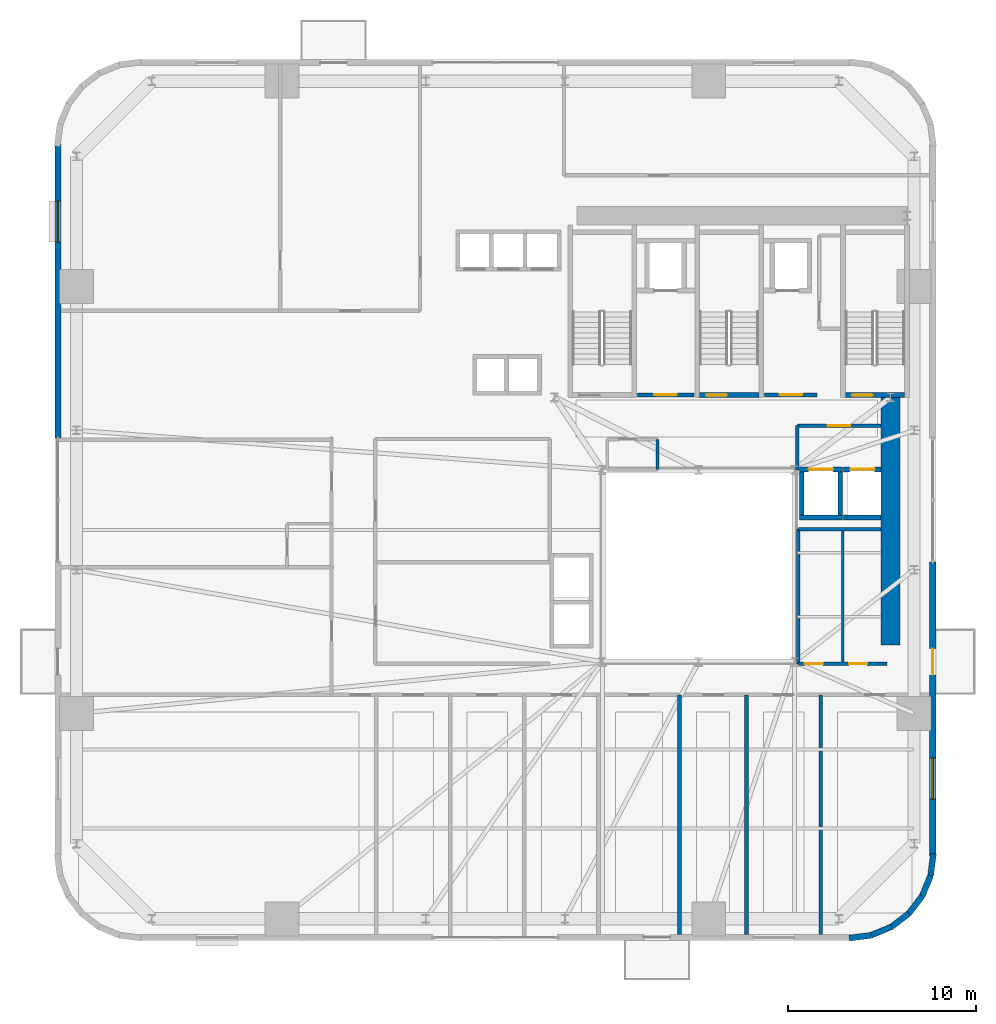
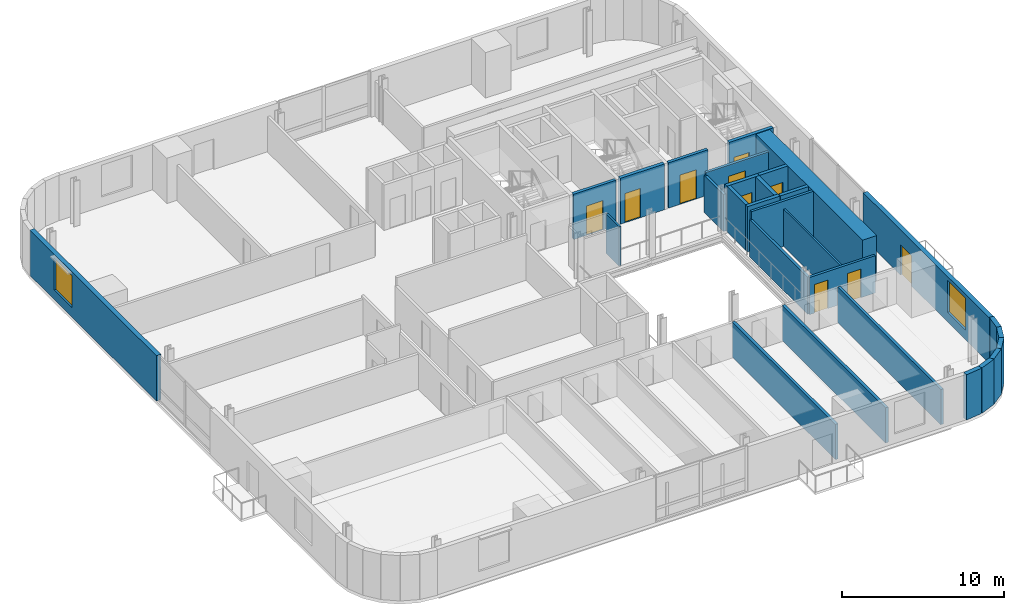
# One storey, part 7 of 13: 29 walls, 10 doors, 2 windows, 12 openings.
"""IFC4 building model written with IfcOpenShell, lengths in metres."""

from ifc_helpers import new_model, si_unit, direction, frame, frame_2d, origin, place, context, subcontext, project, spatial, rectangle, extrude, source, transform, mapped, material, layer, layer_set, type_object, element, fill, save


model = new_model("IFC4")

# Units and contexts
model_context = context("Model", 3, precision=1e-05, world=origin(), true_north=direction((0.0, 1.0)))
body_context = subcontext(model_context, "Body", "Model", "MODEL_VIEW")
ifc_project = project(units=[si_unit("LENGTHUNIT", "METRE"), si_unit("AREAUNIT", "SQUARE_METRE"), si_unit("VOLUMEUNIT", "CUBIC_METRE"), si_unit("PLANEANGLEUNIT", "RADIAN"), si_unit("MASSUNIT", "GRAM", prefix="KILO")], contexts=[model_context])

# Site, building, storey
site_placement = place(None, origin())
site = spatial("IfcSite", under=ifc_project, at=site_placement, CompositionType="ELEMENT")
building_placement = place(site_placement, origin())
building = spatial("IfcBuilding", under=site, at=building_placement, Name="Vardaveli Station Tower", CompositionType="ELEMENT")
storey_placement = place(building_placement, frame((0.0, 0.0, 53.14990234375)))
storey = spatial("IfcBuildingStorey", under=building, at=storey_placement, Name="L13", CompositionType="ELEMENT", Elevation=53.14990234375)

# Wall
ifc_material_1 = material(Name="Concrete C60/75", Category="concrete")
ifc_layer_1 = layer(ifc_material_1, 1.0, Name="Concrete C60/75")
ifc_layer_set_1 = layer_set([ifc_layer_1], Name="Concrete C60/75")
wall_type_1 = type_object("IfcWallType", Name="WAL-CORE-1000", PredefinedType="SHEAR", material=ifc_layer_set_1)
shared_shape_1 = source(origin(), body_context, "Body", "SweptSolid", [
    extrude(rectangle(XDim=13.14990234375, YDim=1.0, at=frame_2d((6.574951171875, 0.0))), origin(), (0.0, 0.0, 1.0), 3.41015625),
])
wall_1_placement = place(storey_placement, frame((46.5, 17.5, 0.0), z_axis=(0.0, 0.0, 1.0), x_axis=(0.0, 1.0, 0.0)))
element("IfcWall", 1, at=wall_1_placement, inside=storey, type_object=wall_type_1, Name="SW-L13-EAST2", PredefinedType="SHEAR", context=body_context, shape_type="MappedRepresentation", body=[
    mapped(shared_shape_1, transform((0.0, 0.0, 0.0), scale=1.0)),
])

# Wall, openings, door, window
ifc_material_2 = material(Name="Precast concrete C45/55", Category="concrete")
ifc_layer_2 = layer(ifc_material_2, 0.320068359375, Name="Precast concrete C45/55")
ifc_layer_set_2 = layer_set([ifc_layer_2], Name="Precast concrete C45/55")
wall_type_2 = type_object("IfcWallType", Name="WAL-EXT-STONE-320", PredefinedType="SOLIDWALL", material=ifc_layer_set_2)
shared_shape_2 = source(origin(), body_context, "Body", "SweptSolid", [
    extrude(rectangle(XDim=15.599853515625, YDim=0.320068359375, at=frame_2d((7.7998046875, 0.0))), origin(), (0.0, 0.0, 1.0), 3.41015625),
])
wall_2_placement = place(storey_placement, frame((48.739990234375, 6.300048828125, 0.0), z_axis=(0.0, 0.0, 1.0), x_axis=(0.0, 1.0, 0.0)))
wall_2 = element("IfcWall", 2, at=wall_2_placement, inside=storey, type_object=wall_type_2, Name="EW-L13-E1", PredefinedType="SOLIDWALL", context=body_context, shape_type="MappedRepresentation", body=[
    mapped(shared_shape_2, transform((0.0, 0.0, 0.0), scale=1.0)),
])
shared_shape_3 = source(origin(), body_context, "Body", "SweptSolid", [
    extrude(rectangle(XDim=1.39990234375, YDim=2.300048828125, at=frame_2d((0.699951171875, 1.14990234375))), frame((0.0, 0.169921875, 0.0), z_axis=(0.0, -1.0, 0.0), x_axis=(1.0, 0.0, 0.0)), (0.0, 0.0, 1.0), 0.340087890625),
])
opening_1_placement = place(wall_2_placement, frame((9.6103515625, 0.0, 0.0)))
opening_1 = element("IfcOpeningElement", 3, at=opening_1_placement, cuts=wall_2, Name="Opening D-09", PredefinedType="OPENING", context=body_context, shape_type="MappedRepresentation", body=[
    mapped(shared_shape_3, transform((0.0, 0.0, 0.0), scale=1.0)),
])
shared_shape_4 = source(origin(), body_context, "Body", "SweptSolid", [
    extrude(rectangle(XDim=2.199951171875, YDim=2.39990234375, at=frame_2d((1.10009765625, 1.199951171875))), frame((0.0, 0.169921875, 0.0), z_axis=(0.0, -1.0, 0.0), x_axis=(1.0, 0.0, 0.0)), (0.0, 0.0, 1.0), 0.340087890625),
])
opening_2_placement = place(wall_2_placement, frame((3.0048828125, 0.0, 0.719970703125)))
opening_2 = element("IfcOpeningElement", 4, at=opening_2_placement, cuts=wall_2, Name="Opening W-03", PredefinedType="OPENING", context=body_context, shape_type="MappedRepresentation", body=[
    mapped(shared_shape_4, transform((0.0, 0.0, 0.0), scale=1.0)),
])
ifc_material_3 = material(Name="Thermally broken aluminium glass", Category="aluminium")
door_type_1 = type_object("IfcDoorType", Name="DR-LOG-1400x2300", OperationType="DOUBLE_DOOR_SLIDING", PredefinedType="DOOR", material=ifc_material_3)
shared_shape_5 = source(origin(), body_context, "Body", "SweptSolid", [
    extrude(rectangle(XDim=1.39990234375, YDim=2.300048828125, at=frame_2d((0.699951171875, 1.14990234375))), frame((0.0, 0.02490234375, 0.0), z_axis=(0.0, -1.0, 0.0), x_axis=(1.0, 0.0, 0.0)), (0.0, 0.0, 1.0), 0.050048828125),
])
door_1_placement = place(opening_1_placement, frame((1.39990234375, 0.0, 0.0), z_axis=(0.0, 0.0, 1.0), x_axis=(-1.0, 0.0, 0.0)))
door_1 = element("IfcDoor", 5, at=door_1_placement, inside=storey, type_object=door_type_1, Name="DLG-L13-E", OperationType="DOUBLE_DOOR_SLIDING", OverallHeight=2.300048828125, OverallWidth=1.39990234375, PredefinedType="DOOR", context=body_context, shape_type="MappedRepresentation", body=[
    mapped(shared_shape_5, transform((0.0, 0.0, 0.0), scale=1.0)),
])
fill(opening_1, door_1)
ifc_material_4 = material(Name="Low-E solar-control glass", Category="glass")
window_type = type_object("IfcWindowType", Name="WIN-LOG-2200x2400", PartitioningType="SINGLE_PANEL", PredefinedType="WINDOW", material=ifc_material_4)
shared_shape_6 = source(origin(), body_context, "Body", "SweptSolid", [
    extrude(rectangle(XDim=2.199951171875, YDim=2.39990234375, at=frame_2d((1.10009765625, 1.199951171875))), frame((0.0, 0.030029296875, 0.0), z_axis=(0.0, -1.0, 0.0), x_axis=(1.0, 0.0, 0.0)), (0.0, 0.0, 1.0), 0.06005859375),
])
window_1_placement = place(opening_2_placement, origin())
window_1 = element("IfcWindow", 6, at=window_1_placement, inside=storey, type_object=window_type, Name="WN-L13-E1", OverallHeight=2.39990234375, OverallWidth=2.199951171875, PartitioningType="SINGLE_PANEL", PredefinedType="WINDOW", context=body_context, shape_type="MappedRepresentation", body=[
    mapped(shared_shape_6, transform((0.0, 0.0, 0.0), scale=1.0)),
])
fill(opening_2, window_1)

# Wall, opening, window
shared_shape_7 = source(origin(), body_context, "Body", "SweptSolid", [
    extrude(rectangle(XDim=15.60009765625, YDim=0.320068359375, at=frame_2d((7.800048828125, 0.0))), origin(), (0.0, 0.0, 1.0), 3.41015625),
])
wall_3_placement = place(storey_placement, frame((2.260009765625, 44.10009765625, 0.0), z_axis=(0.0, 0.0, 1.0), x_axis=(0.0, -1.0, 0.0)))
wall_3 = element("IfcWall", 7, at=wall_3_placement, inside=storey, type_object=wall_type_2, Name="EW-L13-W1", PredefinedType="SOLIDWALL", context=body_context, shape_type="MappedRepresentation", body=[
    mapped(shared_shape_7, transform((0.0, 0.0, 0.0), scale=1.0)),
])
opening_3_placement = place(wall_3_placement, frame((3.0048828125, 0.0, 0.719970703125)))
opening_3 = element("IfcOpeningElement", 8, at=opening_3_placement, cuts=wall_3, Name="Opening W-03", PredefinedType="OPENING", context=body_context, shape_type="MappedRepresentation", body=[
    mapped(shared_shape_4, transform((0.0, 0.0, 0.0), scale=1.0)),
])
window_2_placement = place(opening_3_placement, origin())
window_2 = element("IfcWindow", 9, at=window_2_placement, inside=storey, type_object=window_type, Name="WN-L13-W1", OverallHeight=2.39990234375, OverallWidth=2.199951171875, PartitioningType="SINGLE_PANEL", PredefinedType="WINDOW", context=body_context, shape_type="MappedRepresentation", body=[
    mapped(shared_shape_6, transform((0.0, 0.0, 0.0), scale=1.0)),
])
fill(opening_3, window_2)

# Walls
shared_shape_8 = source(origin(), body_context, "Body", "SweptSolid", [
    extrude(rectangle(XDim=1.170654296875, YDim=0.320068359375, at=frame_2d((0.58544921875, 0.0))), origin(), (0.0, 0.0, 1.0), 3.41015625),
])
wall_4_placement = place(storey_placement, frame((48.62548828125, 5.23974609375, 0.0), z_axis=(0.0, 0.0, 1.0), x_axis=(0.128269133229, 0.991739395941, 0.0)))
element("IfcWall", 10, at=wall_4_placement, inside=storey, type_object=wall_type_2, Name="EW-L13-CR2-6", PredefinedType="SOLIDWALL", context=body_context, shape_type="MappedRepresentation", body=[
    mapped(shared_shape_8, transform((0.0, 0.0, 0.0), scale=1.0)),
])
shared_shape_9 = source(origin(), body_context, "Body", "SweptSolid", [
    extrude(rectangle(XDim=1.1689453125, YDim=0.320068359375, at=frame_2d((0.58447265625, 0.0))), origin(), (0.0, 0.0, 1.0), 3.41015625),
])
for number, where, z_axis, x_axis, name in (
    (11, (47.46875, 3.231201171875, 0.0), (0.0, 0.0, 1.0), (0.608387696831, 0.793639975269, 0.0), "EW-L13-CR2-4"),
    (12, (48.179931640625, 4.158935546875, 0.0), (0.0, 0.0, 1.0), (0.381127904695, 0.924522320046, 0.0), "EW-L13-CR2-5"),
):
    element("IfcWall", number, at=place(storey_placement, frame(where, z_axis=z_axis, x_axis=x_axis)), inside=storey, type_object=wall_type_2, Name=name, PredefinedType="SOLIDWALL", context=body_context, shape_type="MappedRepresentation", body=[
        mapped(shared_shape_9, transform((0.0, 0.0, 0.0), scale=1.0)),
    ])
shared_shape_10 = source(origin(), body_context, "Body", "SweptSolid", [
    extrude(rectangle(XDim=1.168701171875, YDim=0.320068359375, at=frame_2d((0.58447265625, 0.0))), origin(), (0.0, 0.0, 1.0), 3.41015625),
])
wall_5_placement = place(storey_placement, frame((46.541259765625, 2.520263671875, 0.0), z_axis=(0.0, 0.0, 1.0), x_axis=(0.793663520347, 0.608356981114, 0.0)))
element("IfcWall", 13, at=wall_5_placement, inside=storey, type_object=wall_type_2, Name="EW-L13-CR2-3", PredefinedType="SOLIDWALL", context=body_context, shape_type="MappedRepresentation", body=[
    mapped(shared_shape_10, transform((0.0, 0.0, 0.0), scale=1.0)),
])
shared_shape_11 = source(origin(), body_context, "Body", "SweptSolid", [
    extrude(rectangle(XDim=1.16943359375, YDim=0.320068359375, at=frame_2d((0.584716796875, 0.0))), origin(), (0.0, 0.0, 1.0), 3.41015625),
])
wall_6_placement = place(storey_placement, frame((45.460205078125, 2.074462890625, 0.0), z_axis=(0.0, 0.0, 1.0), x_axis=(0.924479075121, 0.381232789334, 0.0)))
element("IfcWall", 14, at=wall_6_placement, inside=storey, type_object=wall_type_2, Name="EW-L13-CR2-2", PredefinedType="SOLIDWALL", context=body_context, shape_type="MappedRepresentation", body=[
    mapped(shared_shape_11, transform((0.0, 0.0, 0.0), scale=1.0)),
])
shared_shape_12 = source(origin(), body_context, "Body", "SweptSolid", [
    extrude(rectangle(XDim=1.170166015625, YDim=0.320068359375, at=frame_2d((0.5849609375, 0.0))), origin(), (0.0, 0.0, 1.0), 3.41015625),
])
wall_7_placement = place(storey_placement, frame((44.299560546875, 1.924560546875, 0.0), z_axis=(0.0, 0.0, 1.0), x_axis=(0.991762485493, 0.128090485085, 0.0)))
element("IfcWall", 15, at=wall_7_placement, inside=storey, type_object=wall_type_2, Name="EW-L13-CR2-1", PredefinedType="SOLIDWALL", context=body_context, shape_type="MappedRepresentation", body=[
    mapped(shared_shape_12, transform((0.0, 0.0, 0.0), scale=1.0)),
])

# Wall, opening, door
ifc_material_5 = material(Name="Concrete C40/50", Category="concrete")
ifc_layer_3 = layer(ifc_material_5, 0.25, Name="Concrete C40/50")
ifc_layer_set_3 = layer_set([ifc_layer_3], Name="Concrete C40/50")
wall_type_3 = type_object("IfcWallType", Name="WAL-SHAFT-250", PredefinedType="SOLIDWALL", material=ifc_layer_set_3)
shared_shape_13 = source(origin(), body_context, "Body", "SweptSolid", [
    extrude(rectangle(XDim=3.14990234375, YDim=0.25, at=frame_2d((1.574951171875, 0.0))), origin(), (0.0, 0.0, 1.0), 3.4501953125),
])
wall_8_placement = place(storey_placement, frame((36.35009765625, 30.77490234375, 0.0), z_axis=(0.0, 0.0, 1.0), x_axis=(1.0, 0.0, 0.0)))
wall_8 = element("IfcWall", 16, at=wall_8_placement, inside=storey, type_object=wall_type_3, Name="W-L13-ST-2S", PredefinedType="SOLIDWALL", context=body_context, shape_type="MappedRepresentation", body=[
    mapped(shared_shape_13, transform((0.0, 0.0, 0.0), scale=1.0)),
])
shared_shape_14 = source(origin(), body_context, "Body", "SweptSolid", [
    extrude(rectangle(XDim=1.10009765625, YDim=2.199951171875, at=frame_2d((0.550048828125, 1.10009765625))), frame((0.0, 0.135009765625, 0.0), z_axis=(0.0, -1.0, 0.0), x_axis=(1.0, 0.0, 0.0)), (0.0, 0.0, 1.0), 0.27001953125),
])
opening_4_placement = place(wall_8_placement, frame((0.35009765625, 0.0, 0.0)))
opening_4 = element("IfcOpeningElement", 17, at=opening_4_placement, cuts=wall_8, Name="Opening D-04", PredefinedType="OPENING", context=body_context, shape_type="MappedRepresentation", body=[
    mapped(shared_shape_14, transform((0.0, 0.0, 0.0), scale=1.0)),
])
ifc_material_6 = material(Name="Steel smokeproof fire doorset", Category="steel")
door_type_2 = type_object("IfcDoorType", Name="DR-ST-1100x2200", OperationType="NOTDEFINED", PredefinedType="DOOR", material=ifc_material_6)
shared_shape_15 = source(origin(), body_context, "Body", "SweptSolid", [
    extrude(rectangle(XDim=1.10009765625, YDim=2.199951171875, at=frame_2d((0.550048828125, 1.10009765625))), frame((0.0, 0.02490234375, 0.0), z_axis=(0.0, -1.0, 0.0), x_axis=(1.0, 0.0, 0.0)), (0.0, 0.0, 1.0), 0.050048828125),
])
door_2_placement = place(opening_4_placement, origin())
door_2 = element("IfcDoor", 18, at=door_2_placement, inside=storey, type_object=door_type_2, Name="DST-2-L13", OperationType="SINGLE_SWING_LEFT", OverallHeight=2.199951171875, OverallWidth=1.10009765625, PredefinedType="DOOR", context=body_context, shape_type="MappedRepresentation", body=[
    mapped(shared_shape_15, transform((0.0, 0.0, 0.0), scale=1.0)),
])
fill(opening_4, door_2)

wall_9_placement = place(storey_placement, frame((44.10009765625, 30.77490234375, 0.0), z_axis=(0.0, 0.0, 1.0), x_axis=(1.0, 0.0, 0.0)))
wall_9 = element("IfcWall", 19, at=wall_9_placement, inside=storey, type_object=wall_type_3, Name="W-L13-ST-3S", PredefinedType="SOLIDWALL", context=body_context, shape_type="MappedRepresentation", body=[
    mapped(shared_shape_13, transform((0.0, 0.0, 0.0), scale=1.0)),
])
opening_5_placement = place(wall_9_placement, frame((0.35009765625, 0.0, 0.0)))
opening_5 = element("IfcOpeningElement", 20, at=opening_5_placement, cuts=wall_9, Name="Opening D-04", PredefinedType="OPENING", context=body_context, shape_type="MappedRepresentation", body=[
    mapped(shared_shape_14, transform((0.0, 0.0, 0.0), scale=1.0)),
])
door_3_placement = place(opening_5_placement, origin())
door_3 = element("IfcDoor", 21, at=door_3_placement, inside=storey, type_object=door_type_2, Name="DST-3-L13", OperationType="SINGLE_SWING_LEFT", OverallHeight=2.199951171875, OverallWidth=1.10009765625, PredefinedType="DOOR", context=body_context, shape_type="MappedRepresentation", body=[
    mapped(shared_shape_15, transform((0.0, 0.0, 0.0), scale=1.0)),
])
fill(opening_5, door_3)

ifc_layer_4 = layer(ifc_material_5, 0.219970703125, Name="Concrete C40/50")
ifc_layer_set_4 = layer_set([ifc_layer_4], Name="Concrete C40/50")
wall_type_4 = type_object("IfcWallType", Name="WAL-FFLOBBY-220", PredefinedType="SOLIDWALL", material=ifc_layer_set_4)
shared_shape_16 = source(origin(), body_context, "Body", "SweptSolid", [
    extrude(rectangle(XDim=3.0, YDim=0.219970703125, at=frame_2d((1.5, 0.0))), origin(), (0.0, 0.0, 1.0), 3.41015625),
])
wall_10_placement = place(storey_placement, frame((33.050048828125, 30.780029296875, 0.0), z_axis=(0.0, 0.0, 1.0), x_axis=(1.0, 0.0, 0.0)))
wall_10 = element("IfcWall", 22, at=wall_10_placement, inside=storey, type_object=wall_type_4, Name="W-L13-FFL1S", PredefinedType="SOLIDWALL", context=body_context, shape_type="MappedRepresentation", body=[
    mapped(shared_shape_16, transform((0.0, 0.0, 0.0), scale=1.0)),
])
shared_shape_17 = source(origin(), body_context, "Body", "SweptSolid", [
    extrude(rectangle(XDim=1.199951171875, YDim=2.199951171875, at=frame_2d((0.60009765625, 1.10009765625))), frame((0.0, 0.1201171875, 0.0), z_axis=(0.0, -1.0, 0.0), x_axis=(1.0, 0.0, 0.0)), (0.0, 0.0, 1.0), 0.239990234375),
])
opening_6_placement = place(wall_10_placement, frame((0.89990234375, 0.0, 0.0)))
opening_6 = element("IfcOpeningElement", 23, at=opening_6_placement, cuts=wall_10, Name="Opening D-03", PredefinedType="OPENING", context=body_context, shape_type="MappedRepresentation", body=[
    mapped(shared_shape_17, transform((0.0, 0.0, 0.0), scale=1.0)),
])
door_type_3 = type_object("IfcDoorType", Name="DR-FFL-1200x2200", OperationType="NOTDEFINED", PredefinedType="DOOR", material=ifc_material_6)
shared_shape_18 = source(origin(), body_context, "Body", "SweptSolid", [
    extrude(rectangle(XDim=1.199951171875, YDim=2.199951171875, at=frame_2d((0.60009765625, 1.10009765625))), frame((0.0, 0.02490234375, 0.0), z_axis=(0.0, -1.0, 0.0), x_axis=(1.0, 0.0, 0.0)), (0.0, 0.0, 1.0), 0.050048828125),
])
door_4_placement = place(opening_6_placement, origin())
door_4 = element("IfcDoor", 24, at=door_4_placement, inside=storey, type_object=door_type_3, Name="DFFL1-L13", OperationType="SINGLE_SWING_LEFT", OverallHeight=2.199951171875, OverallWidth=1.199951171875, PredefinedType="DOOR", context=body_context, shape_type="MappedRepresentation", body=[
    mapped(shared_shape_18, transform((0.0, 0.0, 0.0), scale=1.0)),
])
fill(opening_6, door_4)

shared_shape_19 = source(origin(), body_context, "Body", "SweptSolid", [
    extrude(rectangle(XDim=2.800048828125, YDim=0.219970703125, at=frame_2d((1.39990234375, 0.0))), origin(), (0.0, 0.0, 1.0), 3.41015625),
])
wall_11_placement = place(storey_placement, frame((39.800048828125, 30.780029296875, 0.0), z_axis=(0.0, 0.0, 1.0), x_axis=(1.0, 0.0, 0.0)))
wall_11 = element("IfcWall", 25, at=wall_11_placement, inside=storey, type_object=wall_type_4, Name="W-L13-FFL2S", PredefinedType="SOLIDWALL", context=body_context, shape_type="MappedRepresentation", body=[
    mapped(shared_shape_19, transform((0.0, 0.0, 0.0), scale=1.0)),
])
opening_7_placement = place(wall_11_placement, frame((0.800048828125, 0.0, 0.0)))
opening_7 = element("IfcOpeningElement", 26, at=opening_7_placement, cuts=wall_11, Name="Opening D-03", PredefinedType="OPENING", context=body_context, shape_type="MappedRepresentation", body=[
    mapped(shared_shape_17, transform((0.0, 0.0, 0.0), scale=1.0)),
])
door_5_placement = place(opening_7_placement, origin())
door_5 = element("IfcDoor", 27, at=door_5_placement, inside=storey, type_object=door_type_3, Name="DFFL2-L13", OperationType="SINGLE_SWING_RIGHT", OverallHeight=2.199951171875, OverallWidth=1.199951171875, PredefinedType="DOOR", context=body_context, shape_type="MappedRepresentation", body=[
    mapped(shared_shape_18, transform((0.0, 0.0, 0.0), scale=1.0)),
])
fill(opening_7, door_5)

# Wall
shared_shape_20 = source(origin(), body_context, "Body", "SweptSolid", [
    extrude(rectangle(XDim=2.300048828125, YDim=0.25, at=frame_2d((1.14990234375, 0.0))), origin(), (0.0, 0.0, 1.0), 3.41015625),
])
wall_12_placement = place(storey_placement, frame((41.64990234375, 24.27490234375, 0.0), z_axis=(0.0, 0.0, 1.0), x_axis=(1.0, 0.0, 0.0)))
element("IfcWall", 28, at=wall_12_placement, inside=storey, type_object=wall_type_3, Name="SHW-SRV-01-L13-S", PredefinedType="SOLIDWALL", context=body_context, shape_type="MappedRepresentation", body=[
    mapped(shared_shape_20, transform((0.0, 0.0, 0.0), scale=1.0)),
])

# Wall, opening, door
wall_13_placement = place(storey_placement, frame((41.64990234375, 26.824951171875, 0.0), z_axis=(0.0, 0.0, 1.0), x_axis=(1.0, 0.0, 0.0)))
wall_13 = element("IfcWall", 29, at=wall_13_placement, inside=storey, type_object=wall_type_3, Name="SHW-SRV-01-L13-N", PredefinedType="SOLIDWALL", context=body_context, shape_type="MappedRepresentation", body=[
    mapped(shared_shape_20, transform((0.0, 0.0, 0.0), scale=1.0)),
])
shared_shape_21 = source(origin(), body_context, "Body", "SweptSolid", [
    extrude(rectangle(XDim=1.300048828125, YDim=2.300048828125, at=frame_2d((0.64990234375, 1.14990234375))), frame((0.0, 0.135009765625, 0.0), z_axis=(0.0, -1.0, 0.0), x_axis=(1.0, 0.0, 0.0)), (0.0, 0.0, 1.0), 0.27001953125),
])
opening_8_placement = place(wall_13_placement, frame((0.5, 0.0, 0.0)))
opening_8 = element("IfcOpeningElement", 30, at=opening_8_placement, cuts=wall_13, Name="Opening LD-03", PredefinedType="OPENING", context=body_context, shape_type="MappedRepresentation", body=[
    mapped(shared_shape_21, transform((0.0, 0.0, 0.0), scale=1.0)),
])
ifc_material_7 = material(Name="Brushed stainless steel", Category="steel")
door_type_4 = type_object("IfcDoorType", Name="DR-LD-1300x2300", OperationType="DOUBLE_DOOR_SLIDING", PredefinedType="DOOR", material=ifc_material_7)
shared_shape_22 = source(origin(), body_context, "Body", "SweptSolid", [
    extrude(rectangle(XDim=1.300048828125, YDim=2.300048828125, at=frame_2d((0.64990234375, 1.14990234375))), frame((0.0, 0.02490234375, 0.0), z_axis=(0.0, -1.0, 0.0), x_axis=(1.0, 0.0, 0.0)), (0.0, 0.0, 1.0), 0.050048828125),
])
door_6_placement = place(opening_8_placement, origin())
door_6 = element("IfcDoor", 31, at=door_6_placement, inside=storey, type_object=door_type_4, Name="LD-SRV-01-L13", OperationType="DOUBLE_DOOR_SLIDING", OverallHeight=2.300048828125, OverallWidth=1.300048828125, PredefinedType="DOOR", context=body_context, shape_type="MappedRepresentation", body=[
    mapped(shared_shape_22, transform((0.0, 0.0, 0.0), scale=1.0)),
])
fill(opening_8, door_6)

# Walls
for number, where, z_axis, x_axis, name in (
    (32, (41.77490234375, 24.39990234375, 0.0), (0.0, 0.0, 1.0), (0.0, 1.0, 0.0), "SHW-SRV-01-L13-W"),
    (33, (43.824951171875, 24.39990234375, 0.0), (0.0, 0.0, 1.0), (0.0, 1.0, 0.0), "SHW-SRV-01-L13-E"),
):
    element("IfcWall", number, at=place(storey_placement, frame(where, z_axis=z_axis, x_axis=x_axis)), inside=storey, type_object=wall_type_3, Name=name, PredefinedType="SOLIDWALL", context=body_context, shape_type="MappedRepresentation", body=[
        mapped(shared_shape_20, transform((0.0, 0.0, 0.0), scale=1.0)),
    ])
shared_shape_23 = source(origin(), body_context, "Body", "SweptSolid", [
    extrude(rectangle(XDim=2.0, YDim=0.25, at=frame_2d((1.0, 0.0))), origin(), (0.0, 0.0, 1.0), 3.41015625),
])
wall_14_placement = place(storey_placement, frame((44.0, 24.27490234375, 0.0), z_axis=(0.0, 0.0, 1.0), x_axis=(1.0, 0.0, 0.0)))
element("IfcWall", 34, at=wall_14_placement, inside=storey, type_object=wall_type_3, Name="SHW-SRV-02-L13-S", PredefinedType="SOLIDWALL", context=body_context, shape_type="MappedRepresentation", body=[
    mapped(shared_shape_23, transform((0.0, 0.0, 0.0), scale=1.0)),
])

# Wall, opening, door
wall_15_placement = place(storey_placement, frame((44.0, 26.824951171875, 0.0), z_axis=(0.0, 0.0, 1.0), x_axis=(1.0, 0.0, 0.0)))
wall_15 = element("IfcWall", 35, at=wall_15_placement, inside=storey, type_object=wall_type_3, Name="SHW-SRV-02-L13-N", PredefinedType="SOLIDWALL", context=body_context, shape_type="MappedRepresentation", body=[
    mapped(shared_shape_23, transform((0.0, 0.0, 0.0), scale=1.0)),
])
opening_9_placement = place(wall_15_placement, frame((0.35009765625, 0.0, 0.0)))
opening_9 = element("IfcOpeningElement", 36, at=opening_9_placement, cuts=wall_15, Name="Opening LD-03", PredefinedType="OPENING", context=body_context, shape_type="MappedRepresentation", body=[
    mapped(shared_shape_21, transform((0.0, 0.0, 0.0), scale=1.0)),
])
door_7_placement = place(opening_9_placement, origin())
door_7 = element("IfcDoor", 37, at=door_7_placement, inside=storey, type_object=door_type_4, Name="LD-SRV-02-L13", OperationType="DOUBLE_DOOR_SLIDING", OverallHeight=2.300048828125, OverallWidth=1.300048828125, PredefinedType="DOOR", context=body_context, shape_type="MappedRepresentation", body=[
    mapped(shared_shape_22, transform((0.0, 0.0, 0.0), scale=1.0)),
])
fill(opening_9, door_7)

ifc_material_8 = material(Name="Fire-rated gypsum stud partition")
ifc_layer_5 = layer(ifc_material_8, 0.179931640625, Name="Fire-rated gypsum stud partition")
ifc_layer_set_5 = layer_set([ifc_layer_5], Name="Fire-rated gypsum stud partition")
wall_type_5 = type_object("IfcWallType", Name="WAL-CORR-180", PredefinedType="PARTITIONING", material=ifc_layer_set_5)
shared_shape_24 = source(origin(), body_context, "Body", "SweptSolid", [
    extrude(rectangle(XDim=4.447998046875, YDim=0.179931640625, at=frame_2d((2.22412109375, 0.0))), origin(), (0.0, 0.0, 1.0), 3.0419921875),
])
wall_16_placement = place(storey_placement, frame((41.550048828125, 29.14990234375, 0.0), z_axis=(0.0, 0.0, 1.0), x_axis=(1.0, 0.0, 0.0)))
wall_16 = element("IfcWall", 38, at=wall_16_placement, inside=storey, type_object=wall_type_5, Name="W-L13-SVFN", PredefinedType="PARTITIONING", context=body_context, shape_type="MappedRepresentation", body=[
    mapped(shared_shape_24, transform((0.0, 0.0, 0.0), scale=1.0)),
])
shared_shape_25 = source(origin(), body_context, "Body", "SweptSolid", [
    extrude(rectangle(XDim=1.199951171875, YDim=2.199951171875, at=frame_2d((0.60009765625, 1.10009765625))), frame((0.0, 0.10009765625, 0.0), z_axis=(0.0, -1.0, 0.0), x_axis=(1.0, 0.0, 0.0)), (0.0, 0.0, 1.0), 0.199951171875),
])
opening_10_placement = place(wall_16_placement, frame((1.60009765625, 0.0, 0.0)))
opening_10 = element("IfcOpeningElement", 39, at=opening_10_placement, cuts=wall_16, Name="Opening D-03", PredefinedType="OPENING", context=body_context, shape_type="MappedRepresentation", body=[
    mapped(shared_shape_25, transform((0.0, 0.0, 0.0), scale=1.0)),
])
door_8_placement = place(opening_10_placement, origin())
door_8 = element("IfcDoor", 40, at=door_8_placement, inside=storey, type_object=door_type_3, Name="D-L13-SVF", OperationType="SINGLE_SWING_RIGHT", OverallHeight=2.199951171875, OverallWidth=1.199951171875, PredefinedType="DOOR", context=body_context, shape_type="MappedRepresentation", body=[
    mapped(shared_shape_18, transform((0.0, 0.0, 0.0), scale=1.0)),
])
fill(opening_10, door_8)

# Wall, openings, doors
shared_shape_26 = source(origin(), body_context, "Body", "SweptSolid", [
    extrude(rectangle(XDim=4.699951171875, YDim=0.179931640625, at=frame_2d((2.35009765625, 0.0))), origin(), (0.0, 0.0, 1.0), 2.802001953125),
])
wall_17_placement = place(storey_placement, frame((41.60009765625, 16.5, 0.0), z_axis=(0.0, 0.0, 1.0), x_axis=(1.0, 0.0, 0.0)))
wall_17 = element("IfcWall", 41, at=wall_17_placement, inside=storey, type_object=wall_type_5, Name="W-L13-ATE-S", PredefinedType="PARTITIONING", context=body_context, shape_type="MappedRepresentation", body=[
    mapped(shared_shape_26, transform((0.0, 0.0, 0.0), scale=1.0)),
])
shared_shape_27 = source(origin(), body_context, "Body", "SweptSolid", [
    extrude(rectangle(XDim=0.949951171875, YDim=2.14990234375, at=frame_2d((0.47509765625, 1.074951171875))), frame((0.0, 0.10009765625, 0.0), z_axis=(0.0, -1.0, 0.0), x_axis=(1.0, 0.0, 0.0)), (0.0, 0.0, 1.0), 0.199951171875),
])
opening_11_placement = place(wall_17_placement, frame((0.35009765625, 0.0, 0.0)))
opening_11 = element("IfcOpeningElement", 42, at=opening_11_placement, cuts=wall_17, Name="Opening D-11", PredefinedType="OPENING", context=body_context, shape_type="MappedRepresentation", body=[
    mapped(shared_shape_27, transform((0.0, 0.0, 0.0), scale=1.0)),
])
opening_12_placement = place(wall_17_placement, frame((2.699951171875, 0.0, 0.0)))
opening_12 = element("IfcOpeningElement", 43, at=opening_12_placement, cuts=wall_17, Name="Opening D-11", PredefinedType="OPENING", context=body_context, shape_type="MappedRepresentation", body=[
    mapped(shared_shape_27, transform((0.0, 0.0, 0.0), scale=1.0)),
])
ifc_material_9 = material(Name="Oak veneer internal suite door")
door_type_5 = type_object("IfcDoorType", Name="DR-INT-950x2150", OperationType="NOTDEFINED", PredefinedType="DOOR", material=ifc_material_9)
shared_shape_28 = source(origin(), body_context, "Body", "SweptSolid", [
    extrude(rectangle(XDim=0.949951171875, YDim=2.14990234375, at=frame_2d((0.47509765625, 1.074951171875))), frame((0.0, 0.02490234375, 0.0), z_axis=(0.0, -1.0, 0.0), x_axis=(1.0, 0.0, 0.0)), (0.0, 0.0, 1.0), 0.050048828125),
])
door_9_placement = place(opening_11_placement, origin())
door_9 = element("IfcDoor", 44, at=door_9_placement, inside=storey, type_object=door_type_5, Name="D-L13-ATE1", OperationType="SINGLE_SWING_RIGHT", OverallHeight=2.14990234375, OverallWidth=0.949951171875, PredefinedType="DOOR", context=body_context, shape_type="MappedRepresentation", body=[
    mapped(shared_shape_28, transform((0.0, 0.0, 0.0), scale=1.0)),
])
fill(opening_11, door_9)
door_10_placement = place(opening_12_placement, origin())
door_10 = element("IfcDoor", 45, at=door_10_placement, inside=storey, type_object=door_type_5, Name="D-L13-ATE2", OperationType="SINGLE_SWING_RIGHT", OverallHeight=2.14990234375, OverallWidth=0.949951171875, PredefinedType="DOOR", context=body_context, shape_type="MappedRepresentation", body=[
    mapped(shared_shape_28, transform((0.0, 0.0, 0.0), scale=1.0)),
])
fill(opening_12, door_10)

# Walls
shared_shape_29 = source(origin(), body_context, "Body", "SweptSolid", [
    extrude(rectangle(XDim=7.14990234375, YDim=0.179931640625, at=frame_2d((3.574951171875, 0.0))), origin(), (0.0, 0.0, 1.0), 2.802001953125),
])
wall_18_placement = place(storey_placement, frame((41.60009765625, 16.5, 0.0), z_axis=(0.0, 0.0, 1.0), x_axis=(0.0, 1.0, 0.0)))
element("IfcWall", 46, at=wall_18_placement, inside=storey, type_object=wall_type_5, Name="W-L13-ATE-W", PredefinedType="PARTITIONING", context=body_context, shape_type="MappedRepresentation", body=[
    mapped(shared_shape_29, transform((0.0, 0.0, 0.0), scale=1.0)),
])
shared_shape_30 = source(origin(), body_context, "Body", "SweptSolid", [
    extrude(rectangle(XDim=2.349853515625, YDim=0.179931640625, at=frame_2d((1.1748046875, 0.0))), origin(), (0.0, 0.0, 1.0), 2.802001953125),
])
wall_19_placement = place(storey_placement, frame((41.550048828125, 26.800048828125, 0.0), z_axis=(0.0, 0.0, 1.0), x_axis=(0.0, 1.0, 0.0)))
element("IfcWall", 47, at=wall_19_placement, inside=storey, type_object=wall_type_5, Name="W-L13-SVFW", PredefinedType="PARTITIONING", context=body_context, shape_type="MappedRepresentation", body=[
    mapped(shared_shape_30, transform((0.0, 0.0, 0.0), scale=1.0)),
])
ifc_material_10 = material(Name="Gypsum board stud partition")
ifc_layer_6 = layer(ifc_material_10, 0.125, Name="Gypsum board stud partition")
ifc_layer_set_6 = layer_set([ifc_layer_6], Name="Gypsum board stud partition")
wall_type_6 = type_object("IfcWallType", Name="WAL-INT-125", PredefinedType="PARTITIONING", material=ifc_layer_set_6)
shared_shape_31 = source(origin(), body_context, "Body", "SweptSolid", [
    extrude(rectangle(XDim=7.14990234375, YDim=0.125, at=frame_2d((3.574951171875, 0.0))), origin(), (0.0, 0.0, 1.0), 2.802001953125),
])
wall_20_placement = place(storey_placement, frame((43.949951171875, 16.5, 0.0), z_axis=(0.0, 0.0, 1.0), x_axis=(0.0, 1.0, 0.0)))
element("IfcWall", 48, at=wall_20_placement, inside=storey, type_object=wall_type_6, Name="W-L13-ATEM", PredefinedType="PARTITIONING", context=body_context, shape_type="MappedRepresentation", body=[
    mapped(shared_shape_31, transform((0.0, 0.0, 0.0), scale=1.0)),
])
shared_shape_32 = source(origin(), body_context, "Body", "SweptSolid", [
    extrude(rectangle(XDim=4.39794921875, YDim=0.179931640625, at=frame_2d((2.198974609375, 0.0))), origin(), (0.0, 0.0, 1.0), 3.41015625),
])
wall_21_placement = place(storey_placement, frame((41.60009765625, 23.64990234375, 0.0), z_axis=(0.0, 0.0, 1.0), x_axis=(1.0, 0.0, 0.0)))
element("IfcWall", 49, at=wall_21_placement, inside=storey, type_object=wall_type_5, Name="W-L13-ATE-N", PredefinedType="PARTITIONING", context=body_context, shape_type="MappedRepresentation", body=[
    mapped(shared_shape_32, transform((0.0, 0.0, 0.0), scale=1.0)),
])
ifc_material_11 = material(Name="Moisture-resistant stud partition")
ifc_layer_7 = layer(ifc_material_11, 0.14990234375, Name="Moisture-resistant stud partition")
ifc_layer_set_7 = layer_set([ifc_layer_7], Name="Moisture-resistant stud partition")
wall_type_7 = type_object("IfcWallType", Name="WAL-WET-150", PredefinedType="PARTITIONING", material=ifc_layer_set_7)
shared_shape_33 = source(origin(), body_context, "Body", "SweptSolid", [
    extrude(rectangle(XDim=1.599853515625, YDim=0.14990234375, at=frame_2d((0.7998046875, 0.0))), origin(), (0.0, 0.0, 1.0), 2.9521484375),
])
wall_22_placement = place(storey_placement, frame((34.1201171875, 26.820068359375, 0.0), z_axis=(0.0, 0.0, 1.0), x_axis=(0.0, 1.0, 0.0)))
element("IfcWall", 50, at=wall_22_placement, inside=storey, type_object=wall_type_7, Name="W-L13-WCA1-E", PredefinedType="PARTITIONING", context=body_context, shape_type="MappedRepresentation", body=[
    mapped(shared_shape_33, transform((0.0, 0.0, 0.0), scale=1.0)),
])
ifc_material_12 = material(Name="Acoustic twin-stud gypsum partition")
ifc_layer_8 = layer(ifc_material_12, 0.199951171875, Name="Acoustic twin-stud gypsum partition")
ifc_layer_set_8 = layer_set([ifc_layer_8], Name="Acoustic twin-stud gypsum partition")
wall_type_8 = type_object("IfcWallType", Name="WAL-PARTY-200", PredefinedType="PARTITIONING", material=ifc_layer_set_8)
shared_shape_34 = source(origin(), body_context, "Body", "SweptSolid", [
    extrude(rectangle(XDim=12.72802734375, YDim=0.199951171875, at=frame_2d((6.364013671875, 0.0))), origin(), (0.0, 0.0, 1.0), 2.652099609375),
])
for number, where, z_axis, x_axis, name in (
    (51, (35.2900390625, 2.1220703125, 0.0), (0.0, 0.0, 1.0), (0.0, 1.0, 0.0), "W-L13-PS5"),
    (52, (38.85107421875, 2.1220703125, 0.0), (0.0, 0.0, 1.0), (0.0, 1.0, 0.0), "W-L13-PS6"),
    (53, (42.7880859375, 2.1220703125, 0.0), (0.0, 0.0, 1.0), (0.0, 1.0, 0.0), "W-L13-PS7"),
):
    element("IfcWall", number, at=place(storey_placement, frame(where, z_axis=z_axis, x_axis=x_axis)), inside=storey, type_object=wall_type_8, Name=name, PredefinedType="PARTITIONING", context=body_context, shape_type="MappedRepresentation", body=[
        mapped(shared_shape_34, transform((0.0, 0.0, 0.0), scale=1.0)),
    ])

save(model, "model.ifc")
